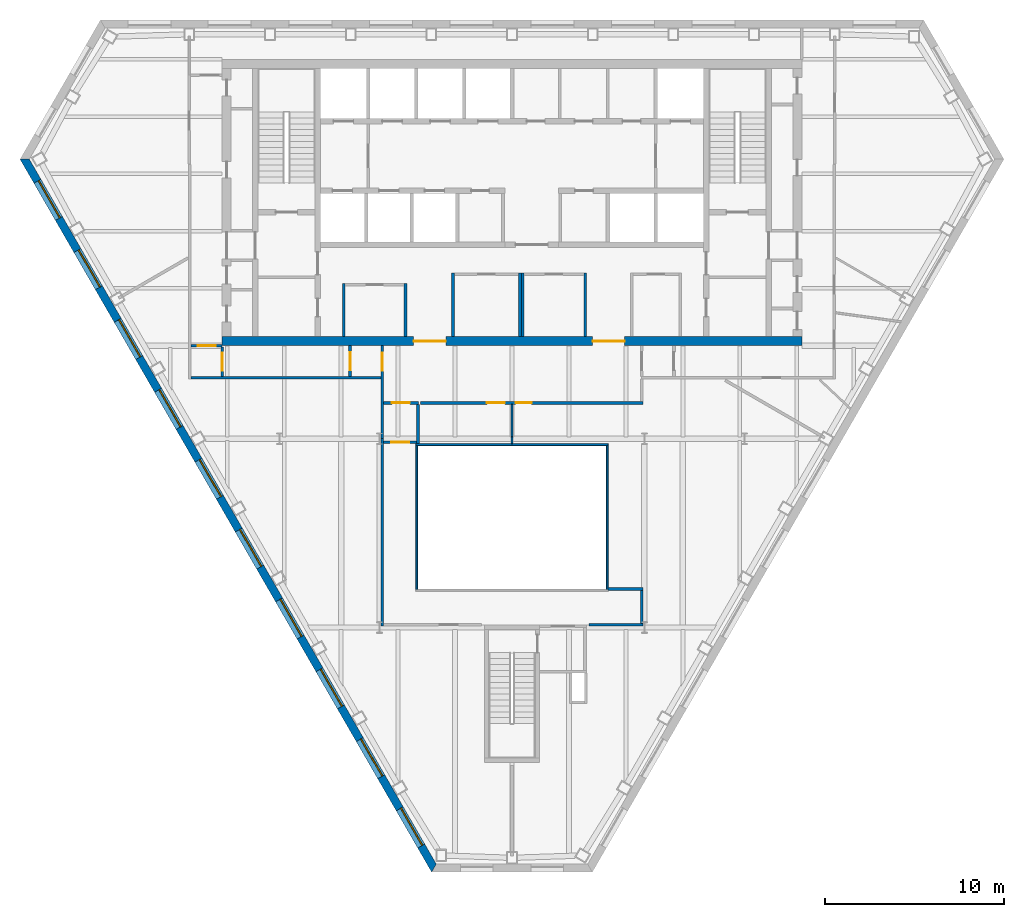
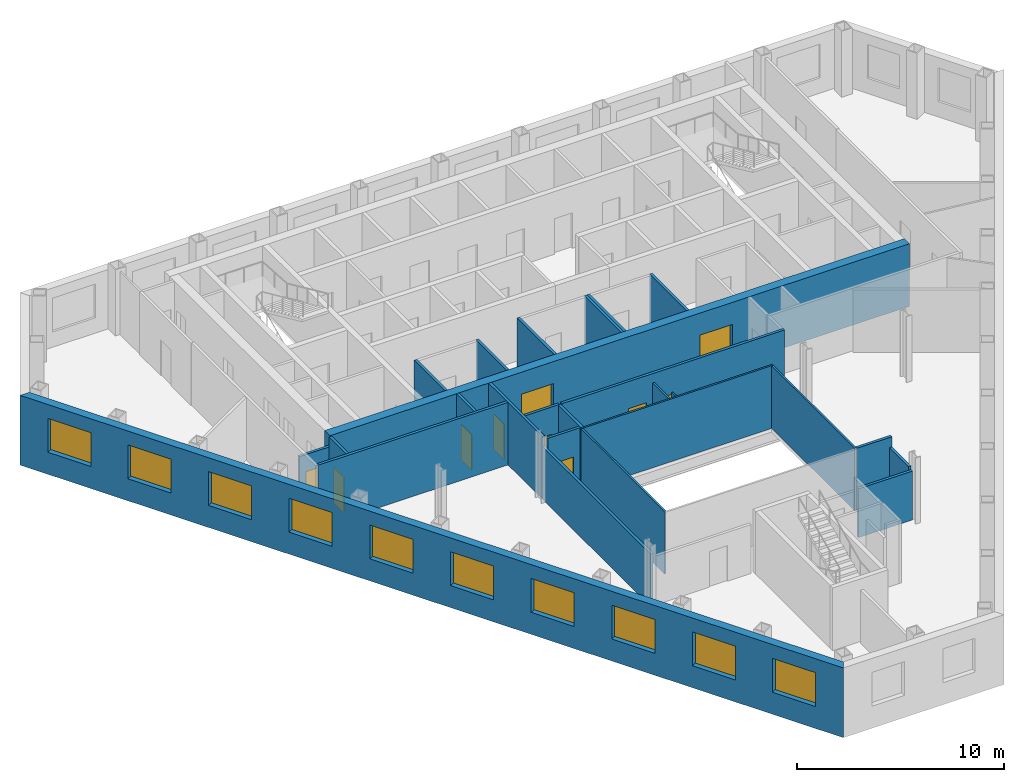
# One storey, part 4 of 11: 26 walls, 10 doors, 10 windows, 20 openings.
"""IFC4 building model written with IfcOpenShell, lengths in metres."""

from ifc_helpers import new_model, si_unit, direction, frame, frame_2d, origin, place, context, subcontext, project, spatial, polyline, rectangle, outline, extrude, material, layer, layer_set, type_object, element, fill, save


model = new_model("IFC4")

# Units and contexts
model_context = context("Model", 3, precision=1e-05, world=origin(), true_north=direction((0.0, 1.0)))
body_context = subcontext(model_context, "Body", "Model", "MODEL_VIEW")
ifc_project = project(units=[si_unit("LENGTHUNIT", "METRE"), si_unit("AREAUNIT", "SQUARE_METRE"), si_unit("VOLUMEUNIT", "CUBIC_METRE"), si_unit("PLANEANGLEUNIT", "RADIAN"), si_unit("MASSUNIT", "GRAM", prefix="KILO")], contexts=[model_context])

# Site, building, storey
site_placement = place(None, origin())
site = spatial("IfcSite", under=ifc_project, at=site_placement, CompositionType="ELEMENT")
building_placement = place(site_placement, origin())
building = spatial("IfcBuilding", under=site, at=building_placement, Name="Njiva Tower", CompositionType="ELEMENT")
storey_placement = place(building_placement, frame((0.0, 0.0, 147.6)))
storey = spatial("IfcBuildingStorey", under=building, at=storey_placement, Name="L31", CompositionType="ELEMENT", Elevation=147.6)

# Walls
ifc_material_1 = material(Name="Blockwork", Category="masonry")
ifc_layer_1 = layer(ifc_material_1, 0.15)
ifc_layer_set_1 = layer_set([ifc_layer_1], Name="Blockwork")
wall_type_1 = type_object("IfcWallType", Name="WT1 Compartment partition 150", PredefinedType="PARTITIONING", material=ifc_layer_set_1)
for number, where, z_axis, x_axis, name in (
    (1, (-9.4, 2.5, 0.0), (0.0, 0.0, 1.0), (0.0, 1.0, 0.0), "Security office wall west"),
    (2, (-5.95, 2.5, 0.0), (0.0, 0.0, 1.0), (0.0, 1.0, 0.0), "Security office wall east"),
):
    element("IfcWall", number, at=place(storey_placement, frame(where, z_axis=z_axis, x_axis=x_axis)), inside=storey, type_object=wall_type_1, Name=name, PredefinedType="PARTITIONING", context=body_context, shape_type="SweptSolid", body=[
        extrude(rectangle(XDim=2.975, YDim=0.15, at=frame_2d((1.4875, 0.0))), origin(), (0.0, 0.0, 1.0), 3.7),
    ])
for number, where, z_axis, x_axis, name in (
    (3, (-3.3, 2.5, 0.0), (0.0, 0.0, 1.0), (0.0, 1.0, 0.0), "Concierge office wall west"),
    (4, (0.45, 2.5, 0.0), (0.0, 0.0, 1.0), (0.0, 1.0, 0.0), "Concierge office wall east"),
    (5, (0.6, 2.5, 0.0), (0.0, 0.0, 1.0), (0.0, 1.0, 0.0), "Post room wall west"),
    (6, (4.1, 2.5, 0.0), (0.0, 0.0, 1.0), (0.0, 1.0, 0.0), "Post room wall east"),
):
    element("IfcWall", number, at=place(storey_placement, frame(where, z_axis=z_axis, x_axis=x_axis)), inside=storey, type_object=wall_type_1, Name=name, PredefinedType="PARTITIONING", context=body_context, shape_type="SweptSolid", body=[
        extrude(rectangle(XDim=3.575, YDim=0.15, at=frame_2d((1.7875, 0.0))), origin(), (0.0, 0.0, 1.0), 3.7),
    ])

# Wall, openings, doors
ifc_material_2 = material(Name="Concrete C60/75", Category="concrete")
ifc_layer_2 = layer(ifc_material_2, 0.5)
ifc_layer_set_2 = layer_set([ifc_layer_2], Name="Concrete C60/75")
wall_type_2 = type_object("IfcWallType", Name="WT13 Core wall 500", PredefinedType="SHEAR", material=ifc_layer_set_2)
wall_1_placement = place(storey_placement, frame((-16.2, 2.25, 0.0), z_axis=(0.0, 0.0, 1.0), x_axis=(1.0, 0.0, 0.0)))
wall_1 = element("IfcWall", 7, at=wall_1_placement, inside=storey, type_object=wall_type_2, Name="Core wall south", PredefinedType="SHEAR", context=body_context, shape_type="SweptSolid", body=[
    extrude(rectangle(XDim=32.4, YDim=0.5, at=frame_2d((16.2, 0.0))), origin(), (0.0, 0.0, 1.0), 3.7),
])
opening_1_placement = place(wall_1_placement, frame((10.7, 0.0, 0.0)))
opening_1 = element("IfcOpeningElement", 8, at=opening_1_placement, cuts=wall_1, Name="Opening S10-D939", PredefinedType="OPENING", context=body_context, shape_type="SweptSolid", body=[
    extrude(rectangle(XDim=1.8, YDim=2.4, at=frame_2d((0.9, 1.2))), frame((0.0, 0.26, 0.0), z_axis=(0.0, -1.0, 0.0), x_axis=(1.0, 0.0, 0.0)), (0.0, 0.0, 1.0), 0.52),
])
opening_2_placement = place(wall_1_placement, frame((20.7, 0.0, 0.0)))
opening_2 = element("IfcOpeningElement", 9, at=opening_2_placement, cuts=wall_1, Name="Opening S10-D940", PredefinedType="OPENING", context=body_context, shape_type="SweptSolid", body=[
    extrude(rectangle(XDim=1.8, YDim=2.4, at=frame_2d((0.9, 1.2))), frame((0.0, 0.26, 0.0), z_axis=(0.0, -1.0, 0.0), x_axis=(1.0, 0.0, 0.0)), (0.0, 0.0, 1.0), 0.52),
])
ifc_material_3 = material(Name="Steel and glass door", Category="steel")
door_type_1 = type_object("IfcDoorType", Name="D3 Core entrance door 1800x2400", OperationType="DOUBLE_DOOR_SINGLE_SWING", PredefinedType="DOOR", material=ifc_material_3)
door_1_placement = place(opening_1_placement, origin())
door_1 = element("IfcDoor", 10, at=door_1_placement, inside=storey, type_object=door_type_1, Name="Core entrance door", OperationType="DOUBLE_DOOR_SINGLE_SWING", OverallHeight=2.4, OverallWidth=1.8, PredefinedType="DOOR", context=body_context, shape_type="SweptSolid", body=[
    extrude(rectangle(XDim=1.8, YDim=2.4, at=frame_2d((0.9, 1.2))), frame((0.0, 0.025, 0.0), z_axis=(0.0, -1.0, 0.0), x_axis=(1.0, 0.0, 0.0)), (0.0, 0.0, 1.0), 0.05),
])
fill(opening_1, door_1)
door_2_placement = place(opening_2_placement, origin())
door_2 = element("IfcDoor", 11, at=door_2_placement, inside=storey, type_object=door_type_1, Name="Core entrance door", OperationType="DOUBLE_DOOR_SINGLE_SWING", OverallHeight=2.4, OverallWidth=1.8, PredefinedType="DOOR", context=body_context, shape_type="SweptSolid", body=[
    extrude(rectangle(XDim=1.8, YDim=2.4, at=frame_2d((0.9, 1.2))), frame((0.0, 0.025, 0.0), z_axis=(0.0, -1.0, 0.0), x_axis=(1.0, 0.0, 0.0)), (0.0, 0.0, 1.0), 0.05),
])
fill(opening_2, door_2)

# Walls
ifc_material_4 = material(Name="Gypsum board on steel studs", Category="gypsum")
ifc_layer_3 = layer(ifc_material_4, 0.1)
ifc_layer_set_3 = layer_set([ifc_layer_3], Name="Gypsum board on steel studs")
wall_type_3 = type_object("IfcWallType", Name="WT20 Gypsum partition 100", PredefinedType="PARTITIONING", material=ifc_layer_set_3)
wall_2_placement = place(storey_placement, frame((0.0, -3.48, 0.0), z_axis=(0.0, 0.0, 1.0), x_axis=(0.0, 1.0, 0.0)))
element("IfcWall", 12, at=wall_2_placement, inside=storey, type_object=wall_type_3, Name="Partition S10-P017", PredefinedType="PARTITIONING", context=body_context, shape_type="SweptSolid", body=[
    extrude(rectangle(XDim=0.381, YDim=0.1, at=frame_2d((0.1905, 0.0))), origin(), (0.0, 0.0, 1.0), 3.7),
])
wall_3_placement = place(storey_placement, frame((0.0, -3.099, 0.0), z_axis=(0.0, 0.0, 1.0), x_axis=(0.0, 1.0, 0.0)))
element("IfcWall", 13, at=wall_3_placement, inside=storey, type_object=wall_type_3, Name="Partition S10-P017A", PredefinedType="PARTITIONING", context=body_context, shape_type="SweptSolid", body=[
    extrude(rectangle(XDim=1.824, YDim=0.1, at=frame_2d((0.912, 0.0))), origin(), (0.0, 0.0, 1.0), 3.15),
])
ifc_layer_4 = layer(ifc_material_4, 0.15)
ifc_layer_set_4 = layer_set([ifc_layer_4], Name="Gypsum board on steel studs")
wall_type_4 = type_object("IfcWallType", Name="WT21 Compartment wall 150", PredefinedType="PARTITIONING", material=ifc_layer_set_4)
wall_4_placement = place(storey_placement, frame((-17.925, 0.2, 0.0), z_axis=(0.0, 0.0, 1.0), x_axis=(1.0, 0.0, 0.0)))
element("IfcWall", 14, at=wall_4_placement, inside=storey, type_object=wall_type_4, Name="Partition S10-P006", PredefinedType="PARTITIONING", context=body_context, shape_type="SweptSolid", body=[
    extrude(rectangle(XDim=10.6, YDim=0.15, at=frame_2d((5.3, 0.0))), origin(), (0.0, 0.0, 1.0), 3.7),
])

# Wall, opening, door
wall_5_placement = place(storey_placement, frame((-17.925, 2.0, 0.0), z_axis=(0.0, 0.0, 1.0), x_axis=(1.0, 0.0, 0.0)))
wall_5 = element("IfcWall", 15, at=wall_5_placement, inside=storey, type_object=wall_type_4, Name="Partition S10-P007", PredefinedType="PARTITIONING", context=body_context, shape_type="SweptSolid", body=[
    extrude(rectangle(XDim=1.725, YDim=0.15, at=frame_2d((0.8625, 0.0))), origin(), (0.0, 0.0, 1.0), 3.11),
])
opening_3_placement = place(wall_5_placement, frame((0.363, 0.0, 0.0)))
opening_3 = element("IfcOpeningElement", 16, at=opening_3_placement, cuts=wall_5, Name="Opening S10-D003", PredefinedType="OPENING", context=body_context, shape_type="SweptSolid", body=[
    extrude(rectangle(XDim=1.0, YDim=2.1, at=frame_2d((0.5, 1.05))), frame((0.0, 0.085, 0.0), z_axis=(0.0, -1.0, 0.0), x_axis=(1.0, 0.0, 0.0)), (0.0, 0.0, 1.0), 0.17),
])
ifc_material_5 = material(Name="Steel fire door set", Category="steel")
door_type_2 = type_object("IfcDoorType", Name="D37 Fire door 1000x2100", OperationType="SINGLE_SWING_LEFT", PredefinedType="DOOR", material=ifc_material_5)
door_3_placement = place(opening_3_placement, origin())
door_3 = element("IfcDoor", 17, at=door_3_placement, inside=storey, type_object=door_type_2, Name="Door S10-D003", OperationType="SINGLE_SWING_LEFT", OverallHeight=2.1, OverallWidth=1.0, PredefinedType="DOOR", context=body_context, shape_type="SweptSolid", body=[
    extrude(rectangle(XDim=1.0, YDim=2.1, at=frame_2d((0.5, 1.05))), frame((0.0, 0.025, 0.0), z_axis=(0.0, -1.0, 0.0), x_axis=(1.0, 0.0, 0.0)), (0.0, 0.0, 1.0), 0.05),
])
fill(opening_3, door_3)

wall_6_placement = place(storey_placement, frame((-16.2, 0.275, 0.0), z_axis=(0.0, 0.0, 1.0), x_axis=(0.0, 1.0, 0.0)))
wall_6 = element("IfcWall", 18, at=wall_6_placement, inside=storey, type_object=wall_type_4, Name="Partition S10-P008", PredefinedType="PARTITIONING", context=body_context, shape_type="SweptSolid", body=[
    extrude(rectangle(XDim=1.65, YDim=0.15, at=frame_2d((0.825, 0.0))), origin(), (0.0, 0.0, 1.0), 3.7),
])
opening_4_placement = place(wall_6_placement, frame((0.325, 0.0, 0.0)))
opening_4 = element("IfcOpeningElement", 19, at=opening_4_placement, cuts=wall_6, Name="Opening S10-D004", PredefinedType="OPENING", context=body_context, shape_type="SweptSolid", body=[
    extrude(rectangle(XDim=1.0, YDim=2.1, at=frame_2d((0.5, 1.05))), frame((0.0, 0.085, 0.0), z_axis=(0.0, -1.0, 0.0), x_axis=(1.0, 0.0, 0.0)), (0.0, 0.0, 1.0), 0.17),
])
door_4_placement = place(opening_4_placement, origin())
door_4 = element("IfcDoor", 20, at=door_4_placement, inside=storey, type_object=door_type_2, Name="Door S10-D004", OperationType="SINGLE_SWING_RIGHT", OverallHeight=2.1, OverallWidth=1.0, PredefinedType="DOOR", context=body_context, shape_type="SweptSolid", body=[
    extrude(rectangle(XDim=1.0, YDim=2.1, at=frame_2d((0.5, 1.05))), frame((0.0, 0.025, 0.0), z_axis=(0.0, -1.0, 0.0), x_axis=(1.0, 0.0, 0.0)), (0.0, 0.0, 1.0), 0.05),
])
fill(opening_4, door_4)

wall_7_placement = place(storey_placement, frame((-9.05, 0.275, 0.0), z_axis=(0.0, 0.0, 1.0), x_axis=(0.0, 1.0, 0.0)))
wall_7 = element("IfcWall", 21, at=wall_7_placement, inside=storey, type_object=wall_type_4, Name="Partition S10-P009", PredefinedType="PARTITIONING", context=body_context, shape_type="SweptSolid", body=[
    extrude(rectangle(XDim=1.725, YDim=0.15, at=frame_2d((0.8625, 0.0))), origin(), (0.0, 0.0, 1.0), 3.7),
])
opening_5_placement = place(wall_7_placement, frame((0.363, 0.0, 0.0)))
opening_5 = element("IfcOpeningElement", 22, at=opening_5_placement, cuts=wall_7, Name="Opening S10-D005", PredefinedType="OPENING", context=body_context, shape_type="SweptSolid", body=[
    extrude(rectangle(XDim=1.0, YDim=2.1, at=frame_2d((0.5, 1.05))), frame((0.0, 0.085, 0.0), z_axis=(0.0, -1.0, 0.0), x_axis=(1.0, 0.0, 0.0)), (0.0, 0.0, 1.0), 0.17),
])
door_5_placement = place(opening_5_placement, origin())
door_5 = element("IfcDoor", 23, at=door_5_placement, inside=storey, type_object=door_type_2, Name="Door S10-D005", OperationType="SINGLE_SWING_LEFT", OverallHeight=2.1, OverallWidth=1.0, PredefinedType="DOOR", context=body_context, shape_type="SweptSolid", body=[
    extrude(rectangle(XDim=1.0, YDim=2.1, at=frame_2d((0.5, 1.05))), frame((0.0, 0.025, 0.0), z_axis=(0.0, -1.0, 0.0), x_axis=(1.0, 0.0, 0.0)), (0.0, 0.0, 1.0), 0.05),
])
fill(opening_5, door_5)

# Wall
wall_8_placement = place(storey_placement, frame((-7.25, -13.675, 0.0), z_axis=(0.0, 0.0, 1.0), x_axis=(0.0, 1.0, 0.0)))
element("IfcWall", 24, at=wall_8_placement, inside=storey, type_object=wall_type_4, Name="Partition S10-P010", PredefinedType="PARTITIONING", context=body_context, shape_type="SweptSolid", body=[
    extrude(rectangle(XDim=10.475, YDim=0.15, at=frame_2d((5.2375, 0.0))), origin(), (0.0, 0.0, 1.0), 3.11),
])

# Wall, opening, door
wall_9_placement = place(storey_placement, frame((-7.25, -3.2, 0.0), z_axis=(0.0, 0.0, 1.0), x_axis=(0.0, 1.0, 0.0)))
wall_9 = element("IfcWall", 25, at=wall_9_placement, inside=storey, type_object=wall_type_4, Name="Partition S10-P010A", PredefinedType="PARTITIONING", context=body_context, shape_type="SweptSolid", body=[
    extrude(rectangle(XDim=5.2, YDim=0.15, at=frame_2d((2.6, 0.0))), origin(), (0.0, 0.0, 1.0), 3.7),
])
opening_6_placement = place(wall_9_placement, frame((3.8, 0.0, 0.0)))
opening_6 = element("IfcOpeningElement", 26, at=opening_6_placement, cuts=wall_9, Name="Opening S10-D006", PredefinedType="OPENING", context=body_context, shape_type="SweptSolid", body=[
    extrude(rectangle(XDim=1.0, YDim=2.1, at=frame_2d((0.5, 1.05))), frame((0.0, 0.085, 0.0), z_axis=(0.0, -1.0, 0.0), x_axis=(1.0, 0.0, 0.0)), (0.0, 0.0, 1.0), 0.17),
])
door_6_placement = place(opening_6_placement, origin())
door_6 = element("IfcDoor", 27, at=door_6_placement, inside=storey, type_object=door_type_2, Name="Door S10-D006", OperationType="SINGLE_SWING_LEFT", OverallHeight=2.1, OverallWidth=1.0, PredefinedType="DOOR", context=body_context, shape_type="SweptSolid", body=[
    extrude(rectangle(XDim=1.0, YDim=2.1, at=frame_2d((0.5, 1.05))), frame((0.0, 0.025, 0.0), z_axis=(0.0, -1.0, 0.0), x_axis=(1.0, 0.0, 0.0)), (0.0, 0.0, 1.0), 0.05),
])
fill(opening_6, door_6)

wall_10_placement = place(storey_placement, frame((-7.175, -3.4, 0.0), z_axis=(0.0, 0.0, 1.0), x_axis=(1.0, 0.0, 0.0)))
wall_10 = element("IfcWall", 28, at=wall_10_placement, inside=storey, type_object=wall_type_4, Name="Partition S10-P012", PredefinedType="PARTITIONING", context=body_context, shape_type="SweptSolid", body=[
    extrude(rectangle(XDim=1.85, YDim=0.15, at=frame_2d((0.925, 0.0))), origin(), (0.0, 0.0, 1.0), 3.7),
])
opening_7_placement = place(wall_10_placement, frame((0.425, 0.0, 0.0)))
opening_7 = element("IfcOpeningElement", 29, at=opening_7_placement, cuts=wall_10, Name="Opening S10-D008", PredefinedType="OPENING", context=body_context, shape_type="SweptSolid", body=[
    extrude(rectangle(XDim=1.0, YDim=2.1, at=frame_2d((0.5, 1.05))), frame((0.0, 0.085, 0.0), z_axis=(0.0, -1.0, 0.0), x_axis=(1.0, 0.0, 0.0)), (0.0, 0.0, 1.0), 0.17),
])
door_7_placement = place(opening_7_placement, origin())
door_7 = element("IfcDoor", 30, at=door_7_placement, inside=storey, type_object=door_type_2, Name="Door S10-D008", OperationType="SINGLE_SWING_LEFT", OverallHeight=2.1, OverallWidth=1.0, PredefinedType="DOOR", context=body_context, shape_type="SweptSolid", body=[
    extrude(rectangle(XDim=1.0, YDim=2.1, at=frame_2d((0.5, 1.05))), frame((0.0, 0.025, 0.0), z_axis=(0.0, -1.0, 0.0), x_axis=(1.0, 0.0, 0.0)), (0.0, 0.0, 1.0), 0.05),
])
fill(opening_7, door_7)

wall_11_placement = place(storey_placement, frame((-7.175, -1.2, 0.0), z_axis=(0.0, 0.0, 1.0), x_axis=(1.0, 0.0, 0.0)))
wall_11 = element("IfcWall", 31, at=wall_11_placement, inside=storey, type_object=wall_type_4, Name="Partition S10-P013", PredefinedType="PARTITIONING", context=body_context, shape_type="SweptSolid", body=[
    extrude(rectangle(XDim=1.937, YDim=0.15, at=frame_2d((0.9685, 0.0))), origin(), (0.0, 0.0, 1.0), 3.7),
])
opening_8_placement = place(wall_11_placement, frame((0.462, 0.0, 0.0)))
opening_8 = element("IfcOpeningElement", 32, at=opening_8_placement, cuts=wall_11, Name="Opening S10-D009", PredefinedType="OPENING", context=body_context, shape_type="SweptSolid", body=[
    extrude(rectangle(XDim=1.0, YDim=2.1, at=frame_2d((0.5, 1.05))), frame((0.0, 0.085, 0.0), z_axis=(0.0, -1.0, 0.0), x_axis=(1.0, 0.0, 0.0)), (0.0, 0.0, 1.0), 0.17),
])
door_8_placement = place(opening_8_placement, origin())
door_8 = element("IfcDoor", 33, at=door_8_placement, inside=storey, type_object=door_type_2, Name="Door S10-D009", OperationType="SINGLE_SWING_RIGHT", OverallHeight=2.1, OverallWidth=1.0, PredefinedType="DOOR", context=body_context, shape_type="SweptSolid", body=[
    extrude(rectangle(XDim=1.0, YDim=2.1, at=frame_2d((0.5, 1.05))), frame((0.0, 0.025, 0.0), z_axis=(0.0, -1.0, 0.0), x_axis=(1.0, 0.0, 0.0)), (0.0, 0.0, 1.0), 0.05),
])
fill(opening_8, door_8)

# Wall
wall_12_placement = place(storey_placement, frame((-5.25, -3.48, 0.0), z_axis=(0.0, 0.0, 1.0), x_axis=(0.0, 1.0, 0.0)))
element("IfcWall", 34, at=wall_12_placement, inside=storey, type_object=wall_type_4, Name="Partition S10-P014", PredefinedType="PARTITIONING", context=body_context, shape_type="SweptSolid", body=[
    extrude(rectangle(XDim=2.195, YDim=0.15, at=frame_2d((1.0975, 0.0))), origin(), (0.0, 0.0, 1.0), 3.7),
])

# Wall, openings, doors
wall_13_placement = place(storey_placement, frame((-5.104, -1.2, 0.0), z_axis=(0.0, 0.0, 1.0), x_axis=(1.0, 0.0, 0.0)))
wall_13 = element("IfcWall", 35, at=wall_13_placement, inside=storey, type_object=wall_type_4, Name="Partition S10-P015", PredefinedType="PARTITIONING", context=body_context, shape_type="SweptSolid", body=[
    extrude(rectangle(XDim=12.429, YDim=0.15, at=frame_2d((6.2145, 0.0))), origin(), (0.0, 0.0, 1.0), 3.7),
])
opening_9_placement = place(wall_13_placement, frame((3.699, 0.0, 0.0)))
opening_9 = element("IfcOpeningElement", 36, at=opening_9_placement, cuts=wall_13, Name="Opening S10-D010", PredefinedType="OPENING", context=body_context, shape_type="SweptSolid", body=[
    extrude(rectangle(XDim=1.0, YDim=2.1, at=frame_2d((0.5, 1.05))), frame((0.0, 0.085, 0.0), z_axis=(0.0, -1.0, 0.0), x_axis=(1.0, 0.0, 0.0)), (0.0, 0.0, 1.0), 0.17),
])
opening_10_placement = place(wall_13_placement, frame((5.306, 0.0, 0.0)))
opening_10 = element("IfcOpeningElement", 37, at=opening_10_placement, cuts=wall_13, Name="Opening S10-D011", PredefinedType="OPENING", context=body_context, shape_type="SweptSolid", body=[
    extrude(rectangle(XDim=0.9, YDim=2.1, at=frame_2d((0.45, 1.05))), frame((0.0, 0.085, 0.0), z_axis=(0.0, -1.0, 0.0), x_axis=(1.0, 0.0, 0.0)), (0.0, 0.0, 1.0), 0.17),
])
door_type_3 = type_object("IfcDoorType", Name="D36 Fire door 900x2100", OperationType="SINGLE_SWING_LEFT", PredefinedType="DOOR", material=ifc_material_5)
door_9_placement = place(opening_10_placement, origin())
door_9 = element("IfcDoor", 38, at=door_9_placement, inside=storey, type_object=door_type_3, Name="Door S10-D011", OperationType="SINGLE_SWING_LEFT", OverallHeight=2.1, OverallWidth=0.9, PredefinedType="DOOR", context=body_context, shape_type="SweptSolid", body=[
    extrude(rectangle(XDim=0.9, YDim=2.1, at=frame_2d((0.45, 1.05))), frame((0.0, 0.025, 0.0), z_axis=(0.0, -1.0, 0.0), x_axis=(1.0, 0.0, 0.0)), (0.0, 0.0, 1.0), 0.05),
])
fill(opening_10, door_9)
door_10_placement = place(opening_9_placement, origin())
door_10 = element("IfcDoor", 39, at=door_10_placement, inside=storey, type_object=door_type_2, Name="Door S10-D010", OperationType="SINGLE_SWING_LEFT", OverallHeight=2.1, OverallWidth=1.0, PredefinedType="DOOR", context=body_context, shape_type="SweptSolid", body=[
    extrude(rectangle(XDim=1.0, YDim=2.1, at=frame_2d((0.5, 1.05))), frame((0.0, 0.025, 0.0), z_axis=(0.0, -1.0, 0.0), x_axis=(1.0, 0.0, 0.0)), (0.0, 0.0, 1.0), 0.05),
])
fill(opening_9, door_10)

# Walls
wall_14_placement = place(storey_placement, frame((4.3, -13.6, 0.0), z_axis=(0.0, 0.0, 1.0), x_axis=(1.0, 0.0, 0.0)))
element("IfcWall", 40, at=wall_14_placement, inside=storey, type_object=wall_type_4, Name="Partition S10-P018", PredefinedType="PARTITIONING", context=body_context, shape_type="SweptSolid", body=[
    extrude(rectangle(XDim=3.025, YDim=0.15, at=frame_2d((1.5125, 0.0))), origin(), (0.0, 0.0, 1.0), 2.886),
])
wall_15_placement = place(storey_placement, frame((5.37, -11.6, 0.0), z_axis=(0.0, 0.0, 1.0), x_axis=(1.0, 0.0, 0.0)))
element("IfcWall", 41, at=wall_15_placement, inside=storey, type_object=wall_type_4, Name="Partition S10-P019", PredefinedType="PARTITIONING", context=body_context, shape_type="SweptSolid", body=[
    extrude(rectangle(XDim=1.955, YDim=0.15, at=frame_2d((0.9775, 0.0))), origin(), (0.0, 0.0, 1.0), 3.7),
])
wall_16_placement = place(storey_placement, frame((7.25, -13.525, 0.0), z_axis=(0.0, 0.0, 1.0), x_axis=(0.0, 1.0, 0.0)))
element("IfcWall", 42, at=wall_16_placement, inside=storey, type_object=wall_type_4, Name="Partition S10-P020", PredefinedType="PARTITIONING", context=body_context, shape_type="SweptSolid", body=[
    extrude(rectangle(XDim=1.85, YDim=0.15, at=frame_2d((0.925, 0.0))), origin(), (0.0, 0.0, 1.0), 3.11),
])

# Wall, openings, windows
ifc_material_6 = material(Name="Brick masonry", Category="masonry")
ifc_layer_5 = layer(ifc_material_6, 0.45)
ifc_layer_set_5 = layer_set([ifc_layer_5], Name="Brick masonry")
wall_type_5 = type_object("IfcWallType", Name="WT90 Brick pier and spandrel wall 450", PredefinedType="SOLIDWALL", material=ifc_layer_set_5)
wall_17_placement = place(storey_placement, frame((-27.2352, 12.4231, -0.4), z_axis=(0.0, 0.0, 1.0), x_axis=(0.500000335318, -0.866025210188, 0.0)))
wall_17 = element("IfcWall", 43, at=wall_17_placement, inside=storey, type_object=wall_type_5, Name="Facade wall SW", PredefinedType="SOLIDWALL", context=body_context, shape_type="SweptSolid", body=[
    extrude(outline(polyline([(-0.1299, -0.225), (45.8801, -0.225), (45.6203, 0.225), (0.1299, 0.225), (-0.1299, -0.225)])), origin(), (0.0, 0.0, 1.0), 4.12),
])
opening_11_placement = place(wall_17_placement, frame((1.4247, 0.0, 1.3)))
opening_11 = element("IfcOpeningElement", 44, at=opening_11_placement, cuts=wall_17, Name="Opening S10-W12", PredefinedType="OPENING", context=body_context, shape_type="SweptSolid", body=[
    extrude(rectangle(XDim=2.4, YDim=2.0, at=frame_2d((1.2, 1.0))), frame((0.0, 0.235, 0.0), z_axis=(0.0, -1.0, 0.0), x_axis=(1.0, 0.0, 0.0)), (0.0, 0.0, 1.0), 0.47),
])
opening_12_placement = place(wall_17_placement, frame((5.8949, 0.0, 1.3)))
opening_12 = element("IfcOpeningElement", 45, at=opening_12_placement, cuts=wall_17, Name="Opening S10-W13", PredefinedType="OPENING", context=body_context, shape_type="SweptSolid", body=[
    extrude(rectangle(XDim=2.4, YDim=2.0, at=frame_2d((1.2, 1.0))), frame((0.0, 0.235, 0.0), z_axis=(0.0, -1.0, 0.0), x_axis=(1.0, 0.0, 0.0)), (0.0, 0.0, 1.0), 0.47),
])
opening_13_placement = place(wall_17_placement, frame((10.4035, 0.0, 1.3)))
opening_13 = element("IfcOpeningElement", 46, at=opening_13_placement, cuts=wall_17, Name="Opening S10-W14", PredefinedType="OPENING", context=body_context, shape_type="SweptSolid", body=[
    extrude(rectangle(XDim=2.4, YDim=2.0, at=frame_2d((1.2, 1.0))), frame((0.0, 0.235, 0.0), z_axis=(0.0, -1.0, 0.0), x_axis=(1.0, 0.0, 0.0)), (0.0, 0.0, 1.0), 0.47),
])
opening_14_placement = place(wall_17_placement, frame((14.9122, 0.0, 1.3)))
opening_14 = element("IfcOpeningElement", 47, at=opening_14_placement, cuts=wall_17, Name="Opening S10-W15", PredefinedType="OPENING", context=body_context, shape_type="SweptSolid", body=[
    extrude(rectangle(XDim=2.4, YDim=2.0, at=frame_2d((1.2, 1.0))), frame((0.0, 0.235, 0.0), z_axis=(0.0, -1.0, 0.0), x_axis=(1.0, 0.0, 0.0)), (0.0, 0.0, 1.0), 0.47),
])
opening_15_placement = place(wall_17_placement, frame((19.4208, 0.0, 1.3)))
opening_15 = element("IfcOpeningElement", 48, at=opening_15_placement, cuts=wall_17, Name="Opening S10-W16", PredefinedType="OPENING", context=body_context, shape_type="SweptSolid", body=[
    extrude(rectangle(XDim=2.4, YDim=2.0, at=frame_2d((1.2, 1.0))), frame((0.0, 0.235, 0.0), z_axis=(0.0, -1.0, 0.0), x_axis=(1.0, 0.0, 0.0)), (0.0, 0.0, 1.0), 0.47),
])
opening_16_placement = place(wall_17_placement, frame((23.9294, 0.0, 1.3)))
opening_16 = element("IfcOpeningElement", 49, at=opening_16_placement, cuts=wall_17, Name="Opening S10-W17", PredefinedType="OPENING", context=body_context, shape_type="SweptSolid", body=[
    extrude(rectangle(XDim=2.4, YDim=2.0, at=frame_2d((1.2, 1.0))), frame((0.0, 0.235, 0.0), z_axis=(0.0, -1.0, 0.0), x_axis=(1.0, 0.0, 0.0)), (0.0, 0.0, 1.0), 0.47),
])
opening_17_placement = place(wall_17_placement, frame((28.438, 0.0, 1.3)))
opening_17 = element("IfcOpeningElement", 50, at=opening_17_placement, cuts=wall_17, Name="Opening S10-W18", PredefinedType="OPENING", context=body_context, shape_type="SweptSolid", body=[
    extrude(rectangle(XDim=2.4, YDim=2.0, at=frame_2d((1.2, 1.0))), frame((0.0, 0.235, 0.0), z_axis=(0.0, -1.0, 0.0), x_axis=(1.0, 0.0, 0.0)), (0.0, 0.0, 1.0), 0.47),
])
opening_18_placement = place(wall_17_placement, frame((32.9466, 0.0, 1.3)))
opening_18 = element("IfcOpeningElement", 51, at=opening_18_placement, cuts=wall_17, Name="Opening S10-W19", PredefinedType="OPENING", context=body_context, shape_type="SweptSolid", body=[
    extrude(rectangle(XDim=2.4, YDim=2.0, at=frame_2d((1.2, 1.0))), frame((0.0, 0.235, 0.0), z_axis=(0.0, -1.0, 0.0), x_axis=(1.0, 0.0, 0.0)), (0.0, 0.0, 1.0), 0.47),
])
opening_19_placement = place(wall_17_placement, frame((37.4553, 0.0, 1.3)))
opening_19 = element("IfcOpeningElement", 52, at=opening_19_placement, cuts=wall_17, Name="Opening S10-W20", PredefinedType="OPENING", context=body_context, shape_type="SweptSolid", body=[
    extrude(rectangle(XDim=2.4, YDim=2.0, at=frame_2d((1.2, 1.0))), frame((0.0, 0.235, 0.0), z_axis=(0.0, -1.0, 0.0), x_axis=(1.0, 0.0, 0.0)), (0.0, 0.0, 1.0), 0.47),
])
opening_20_placement = place(wall_17_placement, frame((41.9255, 0.0, 1.3)))
opening_20 = element("IfcOpeningElement", 53, at=opening_20_placement, cuts=wall_17, Name="Opening S10-W21", PredefinedType="OPENING", context=body_context, shape_type="SweptSolid", body=[
    extrude(rectangle(XDim=2.4, YDim=2.0, at=frame_2d((1.2, 1.0))), frame((0.0, 0.235, 0.0), z_axis=(0.0, -1.0, 0.0), x_axis=(1.0, 0.0, 0.0)), (0.0, 0.0, 1.0), 0.47),
])
ifc_material_7 = material(Name="Clear glazing in aluminium frame", Category="aluminium")
window_type = type_object("IfcWindowType", Name="W90 Deep-set window 2400x2000", PartitioningType="SINGLE_PANEL", PredefinedType="WINDOW", material=ifc_material_7)
window_1_placement = place(opening_11_placement, origin())
window_1 = element("IfcWindow", 54, at=window_1_placement, inside=storey, type_object=window_type, Name="Window", OverallHeight=2.0, OverallWidth=2.4, PartitioningType="SINGLE_PANEL", PredefinedType="WINDOW", context=body_context, shape_type="SweptSolid", body=[
    extrude(rectangle(XDim=2.4, YDim=2.0, at=frame_2d((1.2, 1.0))), frame((0.0, 0.105, 0.0), z_axis=(0.0, -1.0, 0.0), x_axis=(1.0, 0.0, 0.0)), (0.0, 0.0, 1.0), 0.06),
])
fill(opening_11, window_1)
window_2_placement = place(opening_12_placement, origin())
window_2 = element("IfcWindow", 55, at=window_2_placement, inside=storey, type_object=window_type, Name="Window", OverallHeight=2.0, OverallWidth=2.4, PartitioningType="SINGLE_PANEL", PredefinedType="WINDOW", context=body_context, shape_type="SweptSolid", body=[
    extrude(rectangle(XDim=2.4, YDim=2.0, at=frame_2d((1.2, 1.0))), frame((0.0, 0.105, 0.0), z_axis=(0.0, -1.0, 0.0), x_axis=(1.0, 0.0, 0.0)), (0.0, 0.0, 1.0), 0.06),
])
fill(opening_12, window_2)
window_3_placement = place(opening_13_placement, origin())
window_3 = element("IfcWindow", 56, at=window_3_placement, inside=storey, type_object=window_type, Name="Window", OverallHeight=2.0, OverallWidth=2.4, PartitioningType="SINGLE_PANEL", PredefinedType="WINDOW", context=body_context, shape_type="SweptSolid", body=[
    extrude(rectangle(XDim=2.4, YDim=2.0, at=frame_2d((1.2, 1.0))), frame((0.0, 0.105, 0.0), z_axis=(0.0, -1.0, 0.0), x_axis=(1.0, 0.0, 0.0)), (0.0, 0.0, 1.0), 0.06),
])
fill(opening_13, window_3)
window_4_placement = place(opening_14_placement, origin())
window_4 = element("IfcWindow", 57, at=window_4_placement, inside=storey, type_object=window_type, Name="Window", OverallHeight=2.0, OverallWidth=2.4, PartitioningType="SINGLE_PANEL", PredefinedType="WINDOW", context=body_context, shape_type="SweptSolid", body=[
    extrude(rectangle(XDim=2.4, YDim=2.0, at=frame_2d((1.2, 1.0))), frame((0.0, 0.105, 0.0), z_axis=(0.0, -1.0, 0.0), x_axis=(1.0, 0.0, 0.0)), (0.0, 0.0, 1.0), 0.06),
])
fill(opening_14, window_4)
window_5_placement = place(opening_15_placement, origin())
window_5 = element("IfcWindow", 58, at=window_5_placement, inside=storey, type_object=window_type, Name="Window", OverallHeight=2.0, OverallWidth=2.4, PartitioningType="SINGLE_PANEL", PredefinedType="WINDOW", context=body_context, shape_type="SweptSolid", body=[
    extrude(rectangle(XDim=2.4, YDim=2.0, at=frame_2d((1.2, 1.0))), frame((0.0, 0.105, 0.0), z_axis=(0.0, -1.0, 0.0), x_axis=(1.0, 0.0, 0.0)), (0.0, 0.0, 1.0), 0.06),
])
fill(opening_15, window_5)
window_6_placement = place(opening_16_placement, origin())
window_6 = element("IfcWindow", 59, at=window_6_placement, inside=storey, type_object=window_type, Name="Window", OverallHeight=2.0, OverallWidth=2.4, PartitioningType="SINGLE_PANEL", PredefinedType="WINDOW", context=body_context, shape_type="SweptSolid", body=[
    extrude(rectangle(XDim=2.4, YDim=2.0, at=frame_2d((1.2, 1.0))), frame((0.0, 0.105, 0.0), z_axis=(0.0, -1.0, 0.0), x_axis=(1.0, 0.0, 0.0)), (0.0, 0.0, 1.0), 0.06),
])
fill(opening_16, window_6)
window_7_placement = place(opening_17_placement, origin())
window_7 = element("IfcWindow", 60, at=window_7_placement, inside=storey, type_object=window_type, Name="Window", OverallHeight=2.0, OverallWidth=2.4, PartitioningType="SINGLE_PANEL", PredefinedType="WINDOW", context=body_context, shape_type="SweptSolid", body=[
    extrude(rectangle(XDim=2.4, YDim=2.0, at=frame_2d((1.2, 1.0))), frame((0.0, 0.105, 0.0), z_axis=(0.0, -1.0, 0.0), x_axis=(1.0, 0.0, 0.0)), (0.0, 0.0, 1.0), 0.06),
])
fill(opening_17, window_7)
window_8_placement = place(opening_18_placement, origin())
window_8 = element("IfcWindow", 61, at=window_8_placement, inside=storey, type_object=window_type, Name="Window", OverallHeight=2.0, OverallWidth=2.4, PartitioningType="SINGLE_PANEL", PredefinedType="WINDOW", context=body_context, shape_type="SweptSolid", body=[
    extrude(rectangle(XDim=2.4, YDim=2.0, at=frame_2d((1.2, 1.0))), frame((0.0, 0.105, 0.0), z_axis=(0.0, -1.0, 0.0), x_axis=(1.0, 0.0, 0.0)), (0.0, 0.0, 1.0), 0.06),
])
fill(opening_18, window_8)
window_9_placement = place(opening_19_placement, origin())
window_9 = element("IfcWindow", 62, at=window_9_placement, inside=storey, type_object=window_type, Name="Window", OverallHeight=2.0, OverallWidth=2.4, PartitioningType="SINGLE_PANEL", PredefinedType="WINDOW", context=body_context, shape_type="SweptSolid", body=[
    extrude(rectangle(XDim=2.4, YDim=2.0, at=frame_2d((1.2, 1.0))), frame((0.0, 0.105, 0.0), z_axis=(0.0, -1.0, 0.0), x_axis=(1.0, 0.0, 0.0)), (0.0, 0.0, 1.0), 0.06),
])
fill(opening_19, window_9)
window_10_placement = place(opening_20_placement, origin())
window_10 = element("IfcWindow", 63, at=window_10_placement, inside=storey, type_object=window_type, Name="Window", OverallHeight=2.0, OverallWidth=2.4, PartitioningType="SINGLE_PANEL", PredefinedType="WINDOW", context=body_context, shape_type="SweptSolid", body=[
    extrude(rectangle(XDim=2.4, YDim=2.0, at=frame_2d((1.2, 1.0))), frame((0.0, 0.105, 0.0), z_axis=(0.0, -1.0, 0.0), x_axis=(1.0, 0.0, 0.0)), (0.0, 0.0, 1.0), 0.06),
])
fill(opening_20, window_10)

# Walls
ifc_material_8 = material(Name="Fire-resisting glazing EI 90", Category="glass")
ifc_layer_6 = layer(ifc_material_8, 0.1)
ifc_layer_set_6 = layer_set([ifc_layer_6], Name="Fire-resisting glazing EI 90")
wall_type_6 = type_object("IfcWallType", Name="WT95 Fire-resisting glazed screen EI 90", PredefinedType="PARTITIONING", material=ifc_layer_set_6)
wall_18_placement = place(storey_placement, frame((5.32, -11.62, 0.0), z_axis=(0.0, 0.0, 1.0), x_axis=(0.0, 1.0, 0.0)))
element("IfcWall", 64, at=wall_18_placement, inside=storey, type_object=wall_type_6, Name="Atrium fire screen east", PredefinedType="PARTITIONING", context=body_context, shape_type="SweptSolid", body=[
    extrude(rectangle(XDim=8.04, YDim=0.1, at=frame_2d((4.02, 0.0))), origin(), (0.0, 0.0, 1.0), 3.7),
])
wall_19_placement = place(storey_placement, frame((5.37, -3.53, 0.0), z_axis=(0.0, 0.0, 1.0), x_axis=(-1.0, 0.0, 0.0)))
element("IfcWall", 65, at=wall_19_placement, inside=storey, type_object=wall_type_6, Name="Atrium fire screen north", PredefinedType="PARTITIONING", context=body_context, shape_type="SweptSolid", body=[
    extrude(rectangle(XDim=10.74, YDim=0.1, at=frame_2d((5.37, 0.0))), origin(), (0.0, 0.0, 1.0), 3.7),
])
wall_20_placement = place(storey_placement, frame((-5.32, -3.58, 0.0), z_axis=(0.0, 0.0, 1.0), x_axis=(0.0, -1.0, 0.0)))
element("IfcWall", 66, at=wall_20_placement, inside=storey, type_object=wall_type_6, Name="Atrium fire screen west", PredefinedType="PARTITIONING", context=body_context, shape_type="SweptSolid", body=[
    extrude(rectangle(XDim=8.04, YDim=0.1, at=frame_2d((4.02, 0.0))), origin(), (0.0, 0.0, 1.0), 3.7),
])

save(model, "model.ifc")
